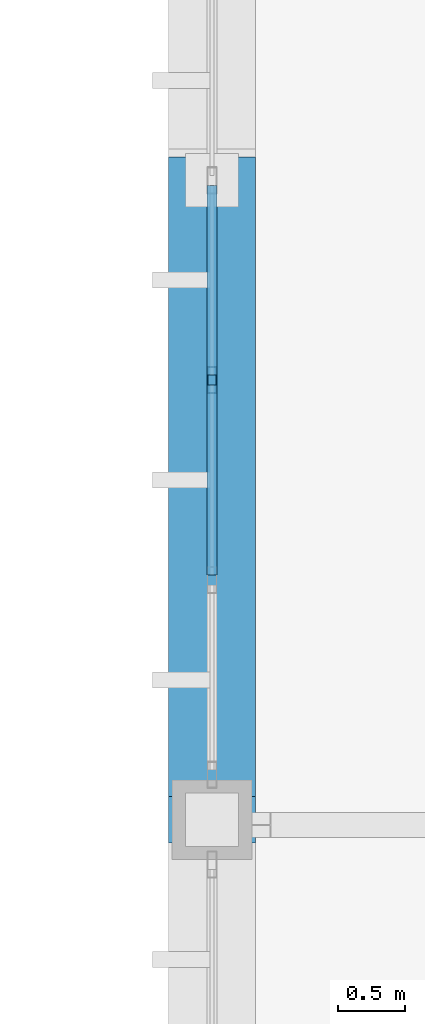
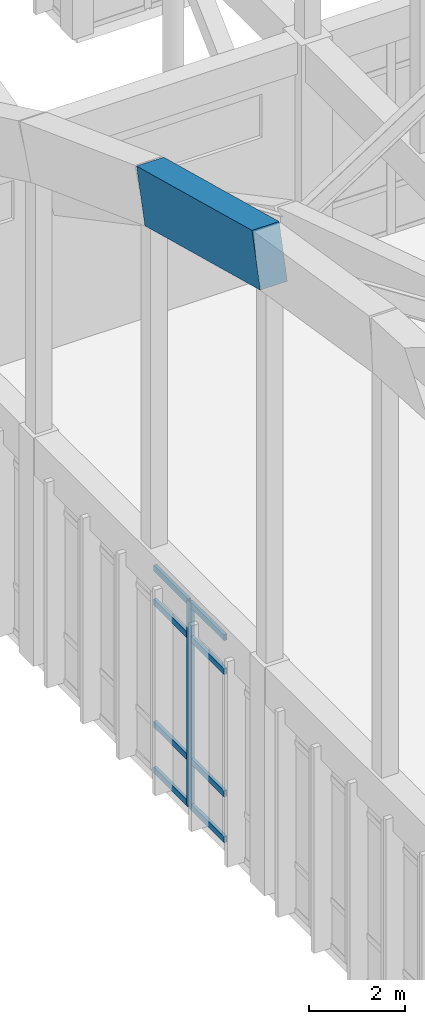
# One storey, part 64 of 236: 10 members, 1 element without a shape of its own.
"""IFC4 building model written with IfcOpenShell, lengths in metres."""

from ifc_helpers import new_model, si_unit, direction, frame, origin, origin_2d, place, context, subcontext, project, spatial, rectangle, hollow_rectangle, extrude, material, layer, layer_set, material_profile, profile_set, type_object, element, aggregate, save


model = new_model("IFC4")

# Units and contexts
model_context = context("Model", 3, precision=1e-05, world=origin(), true_north=direction((0.0, 1.0)))
body_context = subcontext(model_context, "Body", "Model", "MODEL_VIEW")
ifc_project = project(units=[si_unit("LENGTHUNIT", "METRE"), si_unit("AREAUNIT", "SQUARE_METRE"), si_unit("VOLUMEUNIT", "CUBIC_METRE"), si_unit("PLANEANGLEUNIT", "RADIAN"), si_unit("MASSUNIT", "GRAM", prefix="KILO")], contexts=[model_context])

# Site, building, storey
site_placement = place(None, origin())
site = spatial("IfcSite", under=ifc_project, at=site_placement, CompositionType="ELEMENT")
building_placement = place(site_placement, origin())
building = spatial("IfcBuilding", under=site, at=building_placement, Name="Pandanus Reach Market Hall", CompositionType="ELEMENT")
storey_placement = place(building_placement, frame((0.0, 0.0, 5.39990234375)))
storey = spatial("IfcBuildingStorey", under=building, at=storey_placement, Name="L01", CompositionType="ELEMENT", Elevation=5.39990234375)

# Member
ifc_material_1 = material(Name="Concrete N50 (50 MPa)", Category="concrete")
ifc_material_profile_1 = material_profile(ifc_material_1, rectangle(XDim=0.64990234375, YDim=1.35009765625, at=origin_2d()), Name="RC650x1350", Category="LoadBearing")
ifc_profile_set_1 = profile_set([ifc_material_profile_1], Name="Concrete N50 (50 MPa)")
member_type_1 = type_object("IfcMemberType", Name="AR-RC650-E", PredefinedType="CHORD", material=ifc_profile_set_1)
member_1_placement = place(storey_placement, frame((48.0, 67.199951171875, 15.9580078125), z_axis=(0.0, 0.966344166189, -0.257252701584), x_axis=(-1.0, 0.0, 0.0)))
element("IfcMember", 1, at=member_1_placement, inside=storey, type_object=member_type_1, Name="Parabolic arch top chord A1.9", PredefinedType="CHORD", context=body_context, shape_type="SweptSolid", body=[
    extrude(rectangle(XDim=0.64990234375, YDim=1.35009765625, at=origin_2d()), origin(), (0.0, 0.0, 1.0), 4.96728515625),
])

# Curtain wall, members
ifc_material_2 = material(Name="Bronze anodised aluminium and low-E glass", Category="aluminium")
ifc_layer = layer(ifc_material_2, 0.199951171875, Name="CW-05")
ifc_layer_set = layer_set([ifc_layer], Name="Bronze anodised aluminium and low-E glass")
curtain_wall_type = type_object("IfcCurtainWallType", Name="CW-05", PredefinedType="NOTDEFINED", material=ifc_layer_set)
curtain_wall_placement = place(storey_placement, origin())
curtain_wall = element("IfcCurtainWall", 2, at=curtain_wall_placement, inside=storey, type_object=curtain_wall_type, Name="Glazed curtain wall CW-05 CW-0032", PredefinedType="NOTDEFINED")
ifc_material_3 = material(Name="Bronze anodised aluminium", Category="aluminium")
ifc_material_profile_2 = material_profile(ifc_material_3, hollow_rectangle(XDim=0.074951171875, YDim=0.199951171875, WallThickness=0.00439453125, at=origin_2d()), Name="ALU75x200", Category="LoadBearing")
ifc_profile_set_2 = profile_set([ifc_material_profile_2], Name="Bronze anodised aluminium")
member_type_2 = type_object("IfcMemberType", Name="CW-M2", PredefinedType="MULLION", material=ifc_profile_set_2)
member_2_placement = place(storey_placement, frame((48.0, 70.5, 0.0), z_axis=(0.0, 0.0, 1.0), x_axis=(-1.0, 0.0, 0.0)))
member_2 = element("IfcMember", 3, at=member_2_placement, type_object=member_type_2, Name="CW-05 mullion 3", PredefinedType="MULLION", context=body_context, shape_type="SweptSolid", body=[
    extrude(hollow_rectangle(XDim=0.074951171875, YDim=0.199951171875, WallThickness=0.00439453125, at=origin_2d()), origin(), (0.0, 0.0, 1.0), 5.2001953125),
])
ifc_material_profile_3 = material_profile(ifc_material_3, hollow_rectangle(XDim=0.074951171875, YDim=0.14990234375, WallThickness=0.00439453125, at=origin_2d()), Name="ALU75x150", Category="LoadBearing")
ifc_profile_set_3 = profile_set([ifc_material_profile_3], Name="Bronze anodised aluminium")
member_type_3 = type_object("IfcMemberType", Name="CW-T2", PredefinedType="USERDEFINED", material=ifc_profile_set_3)
member_3_placement = place(storey_placement, frame((48.0, 69.03759765625, 0.03759765625), z_axis=(0.0, 1.0, 0.0), x_axis=(-1.0, 0.0, 0.0)))
member_3 = element("IfcMember", 4, at=member_3_placement, type_object=member_type_3, Name="CW-05 transom 2.1", ObjectType="TRANSOM", PredefinedType="USERDEFINED", context=body_context, shape_type="SweptSolid", body=[
    extrude(hollow_rectangle(XDim=0.074951171875, YDim=0.14990234375, WallThickness=0.00439453125, at=origin_2d()), origin(), (0.0, 0.0, 1.0), 1.4248046875),
])
member_4_placement = place(storey_placement, frame((48.0, 69.03759765625, 1.2001953125), z_axis=(0.0, 1.0, 0.0), x_axis=(-1.0, 0.0, 0.0)))
member_4 = element("IfcMember", 5, at=member_4_placement, type_object=member_type_3, Name="CW-05 transom 2.2", ObjectType="TRANSOM", PredefinedType="USERDEFINED", context=body_context, shape_type="SweptSolid", body=[
    extrude(hollow_rectangle(XDim=0.074951171875, YDim=0.14990234375, WallThickness=0.00439453125, at=origin_2d()), origin(), (0.0, 0.0, 1.0), 1.4248046875),
])
member_5_placement = place(storey_placement, frame((48.0, 69.03759765625, 4.300048828125), z_axis=(0.0, 1.0, 0.0), x_axis=(-1.0, 0.0, 0.0)))
member_5 = element("IfcMember", 6, at=member_5_placement, type_object=member_type_3, Name="CW-05 transom 2.3", ObjectType="TRANSOM", PredefinedType="USERDEFINED", context=body_context, shape_type="SweptSolid", body=[
    extrude(hollow_rectangle(XDim=0.074951171875, YDim=0.14990234375, WallThickness=0.00439453125, at=origin_2d()), origin(), (0.0, 0.0, 1.0), 1.4248046875),
])
member_6_placement = place(storey_placement, frame((48.0, 69.03759765625, 5.16259765625), z_axis=(0.0, 1.0, 0.0), x_axis=(-1.0, 0.0, 0.0)))
member_6 = element("IfcMember", 7, at=member_6_placement, type_object=member_type_3, Name="CW-05 transom 2.4", ObjectType="TRANSOM", PredefinedType="USERDEFINED", context=body_context, shape_type="SweptSolid", body=[
    extrude(hollow_rectangle(XDim=0.074951171875, YDim=0.14990234375, WallThickness=0.00439453125, at=origin_2d()), origin(), (0.0, 0.0, 1.0), 1.4248046875),
])
member_7_placement = place(storey_placement, frame((48.0, 70.53759765625, 0.03759765625), z_axis=(0.0, 1.0, 0.0), x_axis=(-1.0, 0.0, 0.0)))
member_7 = element("IfcMember", 8, at=member_7_placement, type_object=member_type_3, Name="CW-05 transom 3.1", ObjectType="TRANSOM", PredefinedType="USERDEFINED", context=body_context, shape_type="SweptSolid", body=[
    extrude(hollow_rectangle(XDim=0.074951171875, YDim=0.14990234375, WallThickness=0.00439453125, at=origin_2d()), origin(), (0.0, 0.0, 1.0), 1.4248046875),
])
member_8_placement = place(storey_placement, frame((48.0, 70.53759765625, 1.2001953125), z_axis=(0.0, 1.0, 0.0), x_axis=(-1.0, 0.0, 0.0)))
member_8 = element("IfcMember", 9, at=member_8_placement, type_object=member_type_3, Name="CW-05 transom 3.2", ObjectType="TRANSOM", PredefinedType="USERDEFINED", context=body_context, shape_type="SweptSolid", body=[
    extrude(hollow_rectangle(XDim=0.074951171875, YDim=0.14990234375, WallThickness=0.00439453125, at=origin_2d()), origin(), (0.0, 0.0, 1.0), 1.4248046875),
])
member_9_placement = place(storey_placement, frame((48.0, 70.53759765625, 4.300048828125), z_axis=(0.0, 1.0, 0.0), x_axis=(-1.0, 0.0, 0.0)))
member_9 = element("IfcMember", 10, at=member_9_placement, type_object=member_type_3, Name="CW-05 transom 3.3", ObjectType="TRANSOM", PredefinedType="USERDEFINED", context=body_context, shape_type="SweptSolid", body=[
    extrude(hollow_rectangle(XDim=0.074951171875, YDim=0.14990234375, WallThickness=0.00439453125, at=origin_2d()), origin(), (0.0, 0.0, 1.0), 1.4248046875),
])
member_10_placement = place(storey_placement, frame((48.0, 70.53759765625, 5.16259765625), z_axis=(0.0, 1.0, 0.0), x_axis=(-1.0, 0.0, 0.0)))
member_10 = element("IfcMember", 11, at=member_10_placement, type_object=member_type_3, Name="CW-05 transom 3.4", ObjectType="TRANSOM", PredefinedType="USERDEFINED", context=body_context, shape_type="SweptSolid", body=[
    extrude(hollow_rectangle(XDim=0.074951171875, YDim=0.14990234375, WallThickness=0.00439453125, at=origin_2d()), origin(), (0.0, 0.0, 1.0), 1.4248046875),
])
aggregate(curtain_wall, [member_2, member_3, member_4, member_5, member_6, member_7, member_8, member_9, member_10])

save(model, "model.ifc")
